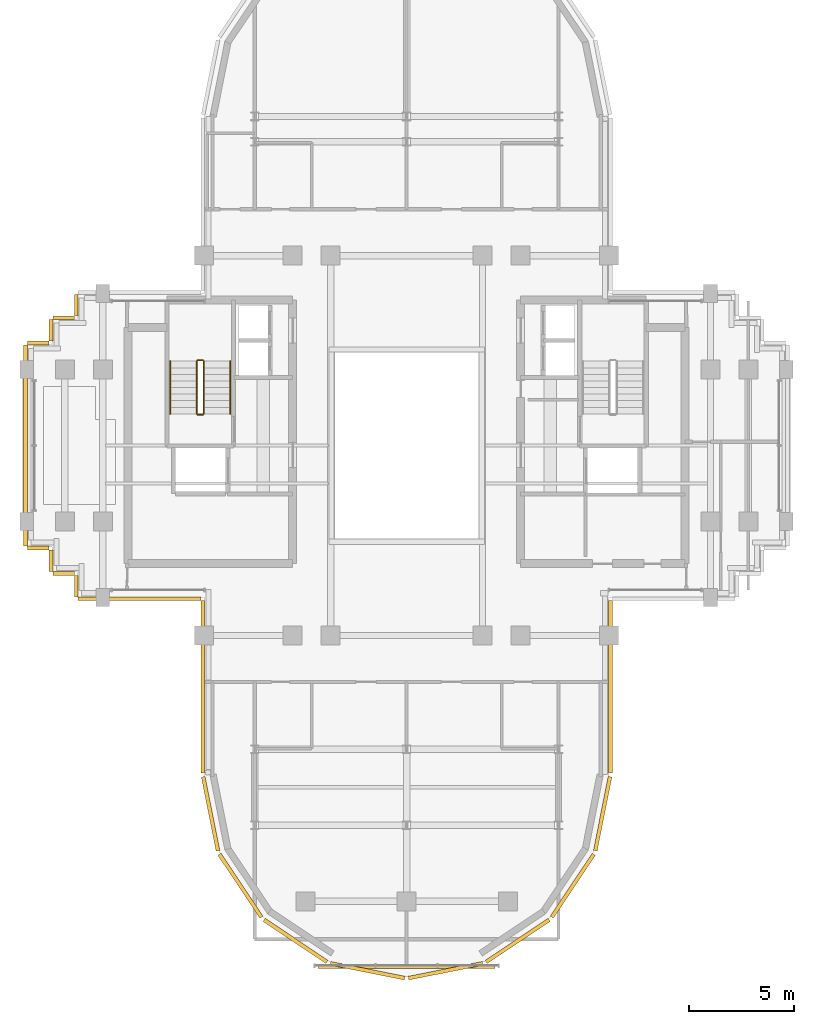
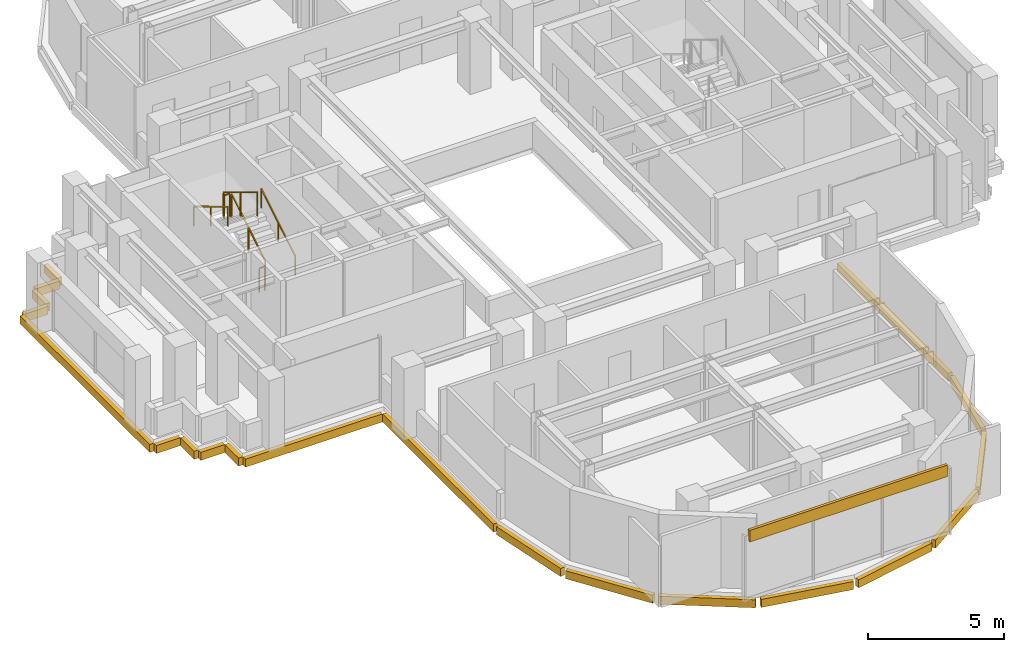
# One storey, part 9 of 11: 21 coverings, 6 railings.
"""IFC4 building model written with IfcOpenShell, lengths in metres."""

from ifc_helpers import new_model, si_unit, direction, frame, origin, origin_2d, place, context, subcontext, project, spatial, rectangle, extrude, source, transform, mapped, material, layer, layer_set, type_object, element, save


model = new_model("IFC4")

# Units and contexts
model_context = context("Model", 3, precision=1e-05, world=origin(), true_north=direction((0.0, 1.0)))
body_context = subcontext(model_context, "Body", "Model", "MODEL_VIEW")
ifc_project = project(units=[si_unit("LENGTHUNIT", "METRE"), si_unit("AREAUNIT", "SQUARE_METRE"), si_unit("VOLUMEUNIT", "CUBIC_METRE"), si_unit("PLANEANGLEUNIT", "RADIAN"), si_unit("MASSUNIT", "GRAM", prefix="KILO")], contexts=[model_context])

# Site, building, storey
site_placement = place(None, origin())
site = spatial("IfcSite", under=ifc_project, at=site_placement, CompositionType="ELEMENT")
building_placement = place(site_placement, origin())
building = spatial("IfcBuilding", under=site, at=building_placement, Name="Keilestroom Media Tower", CompositionType="ELEMENT")
storey_placement = place(building_placement, frame((0.0, 0.0, 194.39990234375)))
storey = spatial("IfcBuildingStorey", under=building, at=storey_placement, Name="L53", CompositionType="ELEMENT", Elevation=194.39990234375)

# Railings
ifc_material_1 = material(Name="Brushed Stainless Steel 1.4301", Category="steel")
railing_type_1 = type_object("IfcRailingType", Name="Stair-Pitch-Handrail-920", PredefinedType="HANDRAIL", material=ifc_material_1)
railing_1_placement = place(storey_placement, frame((-8.35009765625, 1.5, 0.18896484375)))
element("IfcRailing", 1, at=railing_1_placement, inside=storey, type_object=railing_type_1, Name="L53 ST-1 stair handrail 1", PredefinedType="HANDRAIL", context=body_context, shape_type="SweptSolid", body=[
    extrude(rectangle(XDim=0.048095703125, YDim=0.048095703125, at=origin_2d()), frame((0.0, 0.0, 0.8759765625), z_axis=(0.0, 0.855433747314, 0.517912255074), x_axis=(-1.0, 0.0, 0.0)), (0.0, 0.0, 1.0), 2.91796875),
    extrude(rectangle(XDim=0.0419921875, YDim=0.0419921875, at=origin_2d()), origin(), (0.0, 0.0, 1.0), 0.84375),
    extrude(rectangle(XDim=0.0419921875, YDim=0.0419921875, at=origin_2d()), frame((0.0, 1.248046875, 0.755615234375)), (0.0, 0.0, 1.0), 0.84375),
    extrude(rectangle(XDim=0.0419921875, YDim=0.0419921875, at=origin_2d()), frame((0.0, 2.49609375, 1.51123046875)), (0.0, 0.0, 1.0), 0.84375),
])
railing_2_placement = place(storey_placement, frame((-11.2099609375, 3.99609375, 1.888916015625)))
element("IfcRailing", 2, at=railing_2_placement, inside=storey, type_object=railing_type_1, Name="L53 ST-1 stair handrail 2", PredefinedType="HANDRAIL", context=body_context, shape_type="SweptSolid", body=[
    extrude(rectangle(XDim=0.048095703125, YDim=0.048095703125, at=origin_2d()), frame((0.0, 0.0, 0.8759765625), z_axis=(0.0, -0.855433747314, 0.517912255074), x_axis=(1.0, 0.0, 0.0)), (0.0, 0.0, 1.0), 2.91796875),
    extrude(rectangle(XDim=0.0419921875, YDim=0.0419921875, at=origin_2d()), origin(), (0.0, 0.0, 1.0), 0.84375),
    extrude(rectangle(XDim=0.0419921875, YDim=0.0419921875, at=origin_2d()), frame((0.0, -1.248046875, 0.755615234375)), (0.0, 0.0, 1.0), 0.84375),
    extrude(rectangle(XDim=0.0419921875, YDim=0.0419921875, at=origin_2d()), frame((0.0, -2.49609375, 1.51123046875)), (0.0, 0.0, 1.0), 0.84375),
])
ifc_material_2 = material(Name="Painted Steel Balustrade", Category="steel")
railing_type_2 = type_object("IfcRailingType", Name="Stair-Well-And-Landing-Guard-1100", PredefinedType="GUARDRAIL", material=ifc_material_2)
railing_3_placement = place(storey_placement, frame((-9.610107421875, 1.5, 0.18896484375)))
element("IfcRailing", 3, at=railing_3_placement, inside=storey, type_object=railing_type_2, Name="L53 ST-1 stair guard 1", PredefinedType="GUARDRAIL", context=body_context, shape_type="SweptSolid", body=[
    extrude(rectangle(XDim=0.048095703125, YDim=0.048095703125, at=origin_2d()), frame((0.0, 0.0, 1.076171875), z_axis=(0.0, 0.855433747314, 0.517912255074), x_axis=(-1.0, 0.0, 0.0)), (0.0, 0.0, 1.0), 2.91796875),
    extrude(rectangle(XDim=0.0419921875, YDim=0.0419921875, at=origin_2d()), origin(), (0.0, 0.0, 1.0), 1.0439453125),
    extrude(rectangle(XDim=0.0419921875, YDim=0.0419921875, at=origin_2d()), frame((0.0, 1.248046875, 0.755615234375)), (0.0, 0.0, 1.0), 1.0439453125),
    extrude(rectangle(XDim=0.0419921875, YDim=0.0419921875, at=origin_2d()), frame((0.0, 2.49609375, 1.51123046875)), (0.0, 0.0, 1.0), 1.0439453125),
])
railing_4_placement = place(storey_placement, frame((-9.659912109375, 4.0458984375, 1.7001953125)))
element("IfcRailing", 4, at=railing_4_placement, inside=storey, type_object=railing_type_2, Name="L53 ST-1 stair guard 2", PredefinedType="GUARDRAIL", context=body_context, shape_type="SweptSolid", body=[
    extrude(rectangle(XDim=0.048095703125, YDim=0.048095703125, at=origin_2d()), frame((0.0, 0.0, 1.076171875), z_axis=(-1.0, 0.0, 0.0), x_axis=(0.0, -1.0, 0.0)), (0.0, 0.0, 1.0), 0.239990234375),
    extrude(rectangle(XDim=0.0419921875, YDim=0.0419921875, at=origin_2d()), origin(), (0.0, 0.0, 1.0), 1.0439453125),
    extrude(rectangle(XDim=0.0419921875, YDim=0.0419921875, at=origin_2d()), frame((-0.239990234375, 0.0, 0.0)), (0.0, 0.0, 1.0), 1.0439453125),
])
railing_5_placement = place(storey_placement, frame((-9.949951171875, 3.99609375, 1.888916015625)))
element("IfcRailing", 5, at=railing_5_placement, inside=storey, type_object=railing_type_2, Name="L53 ST-1 stair guard 3", PredefinedType="GUARDRAIL", context=body_context, shape_type="SweptSolid", body=[
    extrude(rectangle(XDim=0.048095703125, YDim=0.048095703125, at=origin_2d()), frame((0.0, 0.0, 1.076171875), z_axis=(0.0, -0.855433747314, 0.517912255074), x_axis=(1.0, 0.0, 0.0)), (0.0, 0.0, 1.0), 2.91796875),
    extrude(rectangle(XDim=0.0419921875, YDim=0.0419921875, at=origin_2d()), origin(), (0.0, 0.0, 1.0), 1.0439453125),
    extrude(rectangle(XDim=0.0419921875, YDim=0.0419921875, at=origin_2d()), frame((0.0, -1.248046875, 0.755615234375)), (0.0, 0.0, 1.0), 1.0439453125),
    extrude(rectangle(XDim=0.0419921875, YDim=0.0419921875, at=origin_2d()), frame((0.0, -2.49609375, 1.51123046875)), (0.0, 0.0, 1.0), 1.0439453125),
])
railing_6_placement = place(storey_placement, frame((-9.659912109375, 1.449951171875, 0.0)))
element("IfcRailing", 6, at=railing_6_placement, inside=storey, type_object=railing_type_2, Name="L53 ST-1 stair guard 4", PredefinedType="GUARDRAIL", context=body_context, shape_type="SweptSolid", body=[
    extrude(rectangle(XDim=0.048095703125, YDim=0.048095703125, at=origin_2d()), frame((0.0, 0.0, 1.076171875), z_axis=(-1.0, 0.0, 0.0), x_axis=(0.0, -1.0, 0.0)), (0.0, 0.0, 1.0), 0.239990234375),
    extrude(rectangle(XDim=0.0419921875, YDim=0.0419921875, at=origin_2d()), origin(), (0.0, 0.0, 1.0), 1.0439453125),
    extrude(rectangle(XDim=0.0419921875, YDim=0.0419921875, at=origin_2d()), frame((-0.239990234375, 0.0, 0.0)), (0.0, 0.0, 1.0), 1.0439453125),
])

# Coverings
ifc_material_3 = material(Name="Precast concrete C40/50", Category="concrete")
ifc_layer = layer(ifc_material_3, 0.1201171875)
ifc_layer_set = layer_set([ifc_layer], Name="Precast concrete C40/50")
covering_type = type_object("IfcCoveringType", Name="Exterior-Precast-Spandrel-Cladding-Panel-120", PredefinedType="CLADDING", material=ifc_layer_set)
shared_shape_1 = source(origin(), body_context, "Body", "SweptSolid", [
    extrude(rectangle(XDim=8.39990234375, YDim=0.1201171875, at=origin_2d()), origin(), (0.0, 0.0, 1.0), 0.52001953125),
])
covering_1_placement = place(storey_placement, frame((0.0, -24.719970703125, 2.690185546875), z_axis=(0.0, 0.0, 1.0), x_axis=(1.0, 0.0, 0.0)))
element("IfcCovering", 7, at=covering_1_placement, inside=storey, type_object=covering_type, Name="L53 Precast Spandrel Cladding S", PredefinedType="CLADDING", context=body_context, shape_type="MappedRepresentation", body=[
    mapped(shared_shape_1, transform((0.0, 0.0, 0.0), x_axis=(1.0, 0.0, 0.0), y_axis=(0.0, 1.0, 0.0), z_axis=(0.0, 0.0, 1.0), scale=1.0)),
])
shared_shape_2 = source(origin(), body_context, "Body", "SweptSolid", [
    extrude(rectangle(XDim=1.02001953125, YDim=0.179931640625, at=origin_2d()), origin(), (0.0, 0.0, 1.0), 0.360107421875),
])
for number, where, z_axis, x_axis, name in (
    (8, (-15.659912109375, -6.659912109375, -0.5400390625), (0.0, 0.0, 1.0), (0.0, 1.0, 0.0), "L53 Precast Slab-Edge Fascia Cornice 17"),
    (9, (-16.260009765625, -6.06005859375, -0.5400390625), (0.0, 0.0, 1.0), (-1.0, 0.0, 0.0), "L53 Precast Slab-Edge Fascia Cornice 18"),
    (10, (-16.860107421875, -5.4599609375, -0.5400390625), (0.0, 0.0, 1.0), (0.0, 1.0, 0.0), "L53 Precast Slab-Edge Fascia Cornice 19"),
    (11, (-17.4599609375, -4.860107421875, -0.5400390625), (0.0, 0.0, 1.0), (-1.0, 0.0, 0.0), "L53 Precast Slab-Edge Fascia Cornice 20"),
    (12, (-17.4599609375, 4.860107421875, -0.5400390625), (0.0, 0.0, 1.0), (1.0, 0.0, 0.0), "L53 Precast Slab-Edge Fascia Cornice 22"),
    (13, (-16.860107421875, 5.4599609375, -0.5400390625), (0.0, 0.0, 1.0), (0.0, 1.0, 0.0), "L53 Precast Slab-Edge Fascia Cornice 23"),
    (14, (-16.260009765625, 6.06005859375, -0.5400390625), (0.0, 0.0, 1.0), (1.0, 0.0, 0.0), "L53 Precast Slab-Edge Fascia Cornice 24"),
    (15, (-15.659912109375, 6.659912109375, -0.5400390625), (0.0, 0.0, 1.0), (0.0, 1.0, 0.0), "L53 Precast Slab-Edge Fascia Cornice 25"),
):
    element("IfcCovering", number, at=place(storey_placement, frame(where, z_axis=z_axis, x_axis=x_axis)), inside=storey, type_object=covering_type, Name=name, PredefinedType="CLADDING", context=body_context, shape_type="MappedRepresentation", body=[
        mapped(shared_shape_2, transform((0.0, 0.0, 0.0), x_axis=(1.0, 0.0, 0.0), y_axis=(0.0, 1.0, 0.0), z_axis=(0.0, 0.0, 1.0), scale=1.0)),
    ])
shared_shape_3 = source(origin(), body_context, "Body", "SweptSolid", [
    extrude(rectangle(XDim=8.166015625, YDim=0.179931640625, at=origin_2d()), origin(), (0.0, 0.0, 1.0), 0.360107421875),
])
for number, where, z_axis, x_axis, name in (
    (16, (9.659912109375, -11.43310546875, -0.5400390625), (0.0, 0.0, 1.0), (0.0, -1.0, 0.0), "L53 Precast Slab-Edge Fascia Cornice 06"),
    (17, (-9.659912109375, -11.43310546875, -0.5400390625), (0.0, 0.0, 1.0), (0.0, 1.0, 0.0), "L53 Precast Slab-Edge Fascia Cornice 15"),
):
    element("IfcCovering", number, at=place(storey_placement, frame(where, z_axis=z_axis, x_axis=x_axis)), inside=storey, type_object=covering_type, Name=name, PredefinedType="CLADDING", context=body_context, shape_type="MappedRepresentation", body=[
        mapped(shared_shape_3, transform((0.0, 0.0, 0.0), x_axis=(1.0, 0.0, 0.0), y_axis=(0.0, 1.0, 0.0), z_axis=(0.0, 0.0, 1.0), scale=1.0)),
    ])
shared_shape_4 = source(origin(), body_context, "Body", "SweptSolid", [
    extrude(rectangle(XDim=3.58349609375, YDim=0.179931640625, at=origin_2d()), origin(), (0.0, 0.0, 1.0), 0.360107421875),
])
for number, where, z_axis, x_axis, name in (
    (18, (9.29296875, -17.45166015625, -0.5400390625), (0.0, 0.0, 1.0), (-0.195098880975, -0.980783577882, 0.0), "L53 Precast Slab-Edge Fascia Cornice 07"),
    (19, (-9.29296875, -17.45166015625, -0.5400390625), (0.0, 0.0, 1.0), (-0.195098880975, 0.980783577882, 0.0), "L53 Precast Slab-Edge Fascia Cornice 14"),
):
    element("IfcCovering", number, at=place(storey_placement, frame(where, z_axis=z_axis, x_axis=x_axis)), inside=storey, type_object=covering_type, Name=name, PredefinedType="CLADDING", context=body_context, shape_type="MappedRepresentation", body=[
        mapped(shared_shape_4, transform((0.0, 0.0, 0.0), x_axis=(1.0, 0.0, 0.0), y_axis=(0.0, 1.0, 0.0), z_axis=(0.0, 0.0, 1.0), scale=1.0)),
    ])
shared_shape_5 = source(origin(), body_context, "Body", "SweptSolid", [
    extrude(rectangle(XDim=3.589599609375, YDim=0.179931640625, at=origin_2d()), origin(), (0.0, 0.0, 1.0), 0.360107421875),
])
for number, where, z_axis, x_axis, name in (
    (20, (7.878662109375, -20.8642578125, -0.5400390625), (0.0, 0.0, 1.0), (-0.555574586577, -0.831466703332, 0.0), "L53 Precast Slab-Edge Fascia Cornice 08"),
    (21, (5.264404296875, -23.478515625, -0.5400390625), (0.0, 0.0, 1.0), (-0.831466703332, -0.555574586577, 0.0), "L53 Precast Slab-Edge Fascia Cornice 09"),
    (22, (1.8486328125, -24.893310546875, -0.5400390625), (0.0, 0.0, 1.0), (-0.980783577882, -0.195098880975, 0.0), "L53 Precast Slab-Edge Fascia Cornice 10"),
    (23, (-1.8486328125, -24.893310546875, -0.5400390625), (0.0, 0.0, 1.0), (-0.980783577882, 0.195098880975, 0.0), "L53 Precast Slab-Edge Fascia Cornice 11"),
    (24, (-5.264404296875, -23.478515625, -0.5400390625), (0.0, 0.0, 1.0), (-0.831466703332, 0.555574586577, 0.0), "L53 Precast Slab-Edge Fascia Cornice 12"),
    (25, (-7.878662109375, -20.8642578125, -0.5400390625), (0.0, 0.0, 1.0), (-0.555574586577, 0.831466703332, 0.0), "L53 Precast Slab-Edge Fascia Cornice 13"),
):
    element("IfcCovering", number, at=place(storey_placement, frame(where, z_axis=z_axis, x_axis=x_axis)), inside=storey, type_object=covering_type, Name=name, PredefinedType="CLADDING", context=body_context, shape_type="MappedRepresentation", body=[
        mapped(shared_shape_5, transform((0.0, 0.0, 0.0), x_axis=(1.0, 0.0, 0.0), y_axis=(0.0, 1.0, 0.0), z_axis=(0.0, 0.0, 1.0), scale=1.0)),
    ])
shared_shape_6 = source(origin(), body_context, "Body", "SweptSolid", [
    extrude(rectangle(XDim=9.5400390625, YDim=0.179931640625, at=origin_2d()), origin(), (0.0, 0.0, 1.0), 0.360107421875),
])
covering_2_placement = place(storey_placement, frame((-18.06005859375, 0.0, -0.5400390625), z_axis=(0.0, 0.0, 1.0), x_axis=(0.0, 1.0, 0.0)))
element("IfcCovering", 26, at=covering_2_placement, inside=storey, type_object=covering_type, Name="L53 Precast Slab-Edge Fascia Cornice 21", PredefinedType="CLADDING", context=body_context, shape_type="MappedRepresentation", body=[
    mapped(shared_shape_6, transform((0.0, 0.0, 0.0), x_axis=(1.0, 0.0, 0.0), y_axis=(0.0, 1.0, 0.0), z_axis=(0.0, 0.0, 1.0), scale=1.0)),
])
shared_shape_7 = source(origin(), body_context, "Body", "SweptSolid", [
    extrude(rectangle(XDim=5.820068359375, YDim=0.179931640625, at=origin_2d()), origin(), (0.0, 0.0, 1.0), 0.360107421875),
])
covering_3_placement = place(storey_placement, frame((-12.659912109375, -7.260009765625, -0.5400390625), z_axis=(0.0, 0.0, 1.0), x_axis=(-1.0, 0.0, 0.0)))
element("IfcCovering", 27, at=covering_3_placement, inside=storey, type_object=covering_type, Name="L53 Precast Slab-Edge Fascia Cornice 16", PredefinedType="CLADDING", context=body_context, shape_type="MappedRepresentation", body=[
    mapped(shared_shape_7, transform((0.0, 0.0, 0.0), x_axis=(1.0, 0.0, 0.0), y_axis=(0.0, 1.0, 0.0), z_axis=(0.0, 0.0, 1.0), scale=1.0)),
])

save(model, "model.ifc")
